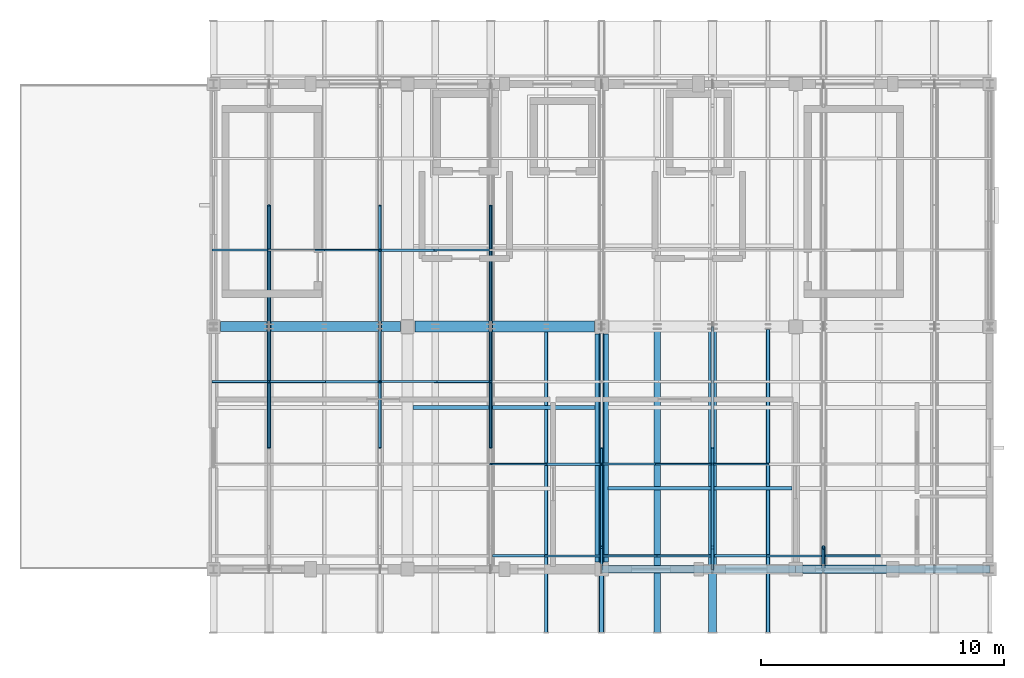
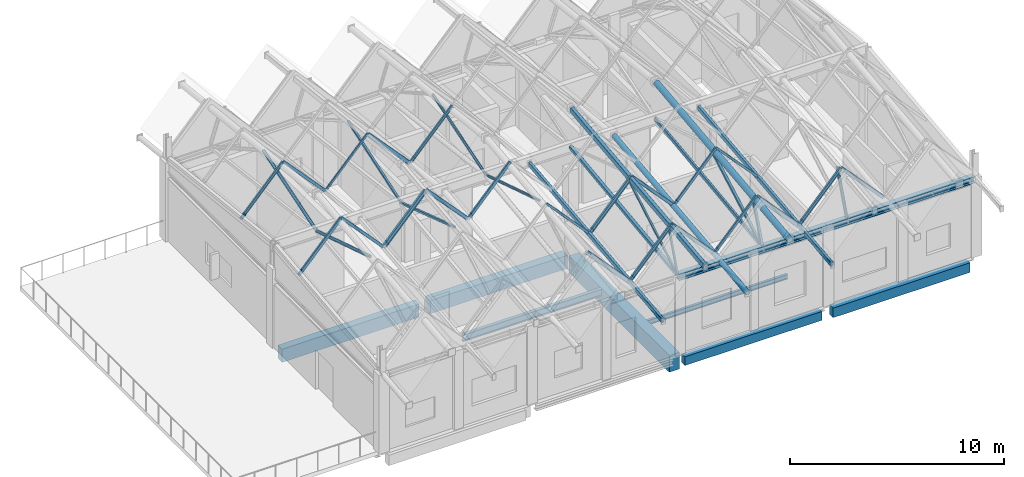
# One storey, part 2 of 15: 35 members, 14 beams.
"""IFC4 building model written with IfcOpenShell, lengths in metres."""

from ifc_helpers import new_model, si_unit, direction, frame, origin, origin_2d, place, context, subcontext, project, spatial, rectangle, hollow_rectangle, hollow_circle, i_section, extrude, material, material_profile, profile_set, type_object, element, save


model = new_model("IFC4")

# Units and contexts
model_context = context("Model", 3, precision=1e-05, world=origin(), true_north=direction((0.0, 1.0)))
body_context = subcontext(model_context, "Body", "Model", "MODEL_VIEW")
ifc_project = project(units=[si_unit("LENGTHUNIT", "METRE"), si_unit("AREAUNIT", "SQUARE_METRE"), si_unit("VOLUMEUNIT", "CUBIC_METRE"), si_unit("PLANEANGLEUNIT", "RADIAN"), si_unit("MASSUNIT", "GRAM", prefix="KILO")], contexts=[model_context])

# Site, building, storey
site_placement = place(None, origin())
site = spatial("IfcSite", under=ifc_project, at=site_placement, CompositionType="ELEMENT")
building_placement = place(site_placement, origin())
building = spatial("IfcBuilding", under=site, at=building_placement, Name="Luwemba Playhouse", CompositionType="ELEMENT")
storey_placement = place(building_placement, frame((0.0, 0.0, 22.800048828125)))
storey = spatial("IfcBuildingStorey", under=building, at=storey_placement, Name="L05", CompositionType="ELEMENT", Elevation=22.800048828125)

# Beams
ifc_material_1 = material(Name="Concrete C40/50", Category="concrete")
ifc_material_profile_1 = material_profile(ifc_material_1, rectangle(XDim=0.39990234375, YDim=0.75, at=origin_2d()))
ifc_profile_set_1 = profile_set([ifc_material_profile_1], Name="Concrete C40/50")
beam_type_1 = type_object("IfcBeamType", Name="BM-RB03", PredefinedType="BEAM", material=ifc_profile_set_1)
beam_1_placement = place(storey_placement, frame((140.300048828125, 105.0, -0.675048828125), z_axis=(1.0, 0.0, 0.0), x_axis=(0.0, 1.0, 0.0)))
element("IfcBeam", 1, at=beam_1_placement, inside=storey, type_object=beam_type_1, Name="L05 grid girder 0946", PredefinedType="BEAM", context=body_context, shape_type="SweptSolid", body=[
    extrude(rectangle(XDim=0.39990234375, YDim=0.75, at=origin_2d()), origin(), (0.0, 0.0, 1.0), 7.39990234375),
])
ifc_material_profile_2 = material_profile(ifc_material_1, rectangle(XDim=0.449951171875, YDim=0.75, at=origin_2d()))
ifc_profile_set_2 = profile_set([ifc_material_profile_2], Name="Concrete C40/50")
beam_type_2 = type_object("IfcBeamType", Name="BM-RB04", PredefinedType="BEAM", material=ifc_profile_set_2)
beam_2_placement = place(storey_placement, frame((148.300048828125, 105.0, -0.675048828125), z_axis=(1.0, 0.0, 0.0), x_axis=(0.0, 1.0, 0.0)))
element("IfcBeam", 2, at=beam_2_placement, inside=storey, type_object=beam_type_2, Name="L05 grid girder 0947", PredefinedType="BEAM", context=body_context, shape_type="SweptSolid", body=[
    extrude(rectangle(XDim=0.449951171875, YDim=0.75, at=origin_2d()), origin(), (0.0, 0.0, 1.0), 7.39990234375),
])
ifc_material_profile_3 = material_profile(ifc_material_1, rectangle(XDim=0.550048828125, YDim=0.949951171875, at=origin_2d()))
ifc_profile_set_3 = profile_set([ifc_material_profile_3], Name="Concrete C40/50")
beam_type_3 = type_object("IfcBeamType", Name="BM-RB08", PredefinedType="BEAM", material=ifc_profile_set_3)
beam_3_placement = place(storey_placement, frame((156.0, 95.300048828125, -0.775146484375), z_axis=(0.0, 1.0, 0.0), x_axis=(-1.0, 0.0, 0.0)))
element("IfcBeam", 3, at=beam_3_placement, inside=storey, type_object=beam_type_3, Name="L05 transverse girder 0958", PredefinedType="BEAM", context=body_context, shape_type="SweptSolid", body=[
    extrude(rectangle(XDim=0.550048828125, YDim=0.949951171875, at=origin_2d()), origin(), (0.0, 0.0, 1.0), 9.39990234375),
])
ifc_material_2 = material(Name="Steel S355", Category="steel")
ifc_material_profile_4 = material_profile(ifc_material_2, hollow_rectangle(XDim=0.14990234375, YDim=0.25, WallThickness=0.010009765625, InnerFilletRadius=0.014892578125, OuterFilletRadius=0.02490234375, at=origin_2d()))
ifc_profile_set_4 = profile_set([ifc_material_profile_4], Name="Steel S355")
beam_type_4 = type_object("IfcBeamType", Name="BM-RTG1", PredefinedType="USERDEFINED", material=ifc_profile_set_4)
for number, where, z_axis, x_axis, name in (
    (4, (153.71435546875, 92.39990234375, 4.156982421875), (0.0, 0.993766630778, 0.111480417796), (-1.0, 0.0, 0.0), "ROOF TRUSS valley girder 0422"),
    (5, (162.857177734375, 92.39990234375, 4.156982421875), (0.0, 0.993768782613, 0.111461234087), (-1.0, 0.0, 0.0), "ROOF TRUSS valley girder 0430"),
):
    element("IfcBeam", number, at=place(storey_placement, frame(where, z_axis=z_axis, x_axis=x_axis)), inside=storey, type_object=beam_type_4, Name=name, ObjectType="ROOF TRUSS", PredefinedType="USERDEFINED", context=body_context, shape_type="SweptSolid", body=[
        extrude(hollow_rectangle(XDim=0.14990234375, YDim=0.25, WallThickness=0.010009765625, InnerFilletRadius=0.014892578125, OuterFilletRadius=0.02490234375, at=origin_2d()), origin(), (0.0, 0.0, 1.0), 12.568359375),
    ])
ifc_material_profile_5 = material_profile(ifc_material_2, hollow_rectangle(XDim=0.199951171875, YDim=0.300048828125, WallThickness=0.012451171875, InnerFilletRadius=0.018798828125, OuterFilletRadius=0.03125, at=origin_2d()))
ifc_profile_set_5 = profile_set([ifc_material_profile_5], Name="Steel S355")
beam_type_5 = type_object("IfcBeamType", Name="BM-RTG2", PredefinedType="USERDEFINED", material=ifc_profile_set_5)
beam_4_placement = place(storey_placement, frame((156.0, 92.39990234375, 6.448486328125), z_axis=(0.0, 0.993766630778, 0.111480417796), x_axis=(-1.0, 0.0, 0.0)))
element("IfcBeam", 6, at=beam_4_placement, inside=storey, type_object=beam_type_5, Name="ROOF TRUSS ridge girder 0424", ObjectType="ROOF TRUSS", PredefinedType="USERDEFINED", context=body_context, shape_type="SweptSolid", body=[
    extrude(hollow_rectangle(XDim=0.199951171875, YDim=0.300048828125, WallThickness=0.012451171875, InnerFilletRadius=0.018798828125, OuterFilletRadius=0.03125, at=origin_2d()), origin(), (0.0, 0.0, 1.0), 12.568359375),
])
ifc_material_profile_6 = material_profile(ifc_material_2, hollow_circle(Radius=0.136474609375, WallThickness=0.012451171875, at=origin_2d()))
ifc_profile_set_6 = profile_set([ifc_material_profile_6], Name="Steel S355")
beam_type_6 = type_object("IfcBeamType", Name="BM-RTG3", PredefinedType="USERDEFINED", material=ifc_profile_set_6)
beam_5_placement = place(storey_placement, frame((158.28564453125, 92.39990234375, 4.1455078125), z_axis=(0.0, 0.993766630778, 0.111480417796), x_axis=(-1.0, 0.0, 0.0)))
element("IfcBeam", 7, at=beam_5_placement, inside=storey, type_object=beam_type_6, Name="ROOF TRUSS valley girder 0426", ObjectType="ROOF TRUSS", PredefinedType="USERDEFINED", context=body_context, shape_type="SweptSolid", body=[
    extrude(hollow_circle(Radius=0.136474609375, WallThickness=0.012451171875, at=origin_2d()), origin(), (0.0, 0.0, 1.0), 12.568359375),
])
ifc_material_profile_7 = material_profile(ifc_material_2, hollow_circle(Radius=0.161865234375, WallThickness=0.01611328125, at=origin_2d()))
ifc_profile_set_7 = profile_set([ifc_material_profile_7], Name="Steel S355")
beam_type_7 = type_object("IfcBeamType", Name="BM-RTG4", PredefinedType="USERDEFINED", material=ifc_profile_set_7)
beam_6_placement = place(storey_placement, frame((160.5712890625, 92.39990234375, 6.369384765625), z_axis=(0.0, 0.993766630778, 0.111480417796), x_axis=(-1.0, 0.0, 0.0)))
element("IfcBeam", 8, at=beam_6_placement, inside=storey, type_object=beam_type_7, Name="ROOF TRUSS ridge girder 0428", ObjectType="ROOF TRUSS", PredefinedType="USERDEFINED", context=body_context, shape_type="SweptSolid", body=[
    extrude(hollow_circle(Radius=0.161865234375, WallThickness=0.01611328125, at=origin_2d()), origin(), (0.0, 0.0, 1.0), 12.568359375),
])
ifc_material_profile_8 = material_profile(ifc_material_2, i_section(OverallWidth=0.300048828125, OverallDepth=0.360107421875, WebThickness=0.012451171875, FlangeThickness=0.0224609375, FilletRadius=0.027099609375, at=origin_2d()))
ifc_profile_set_8 = profile_set([ifc_material_profile_8], Name="Steel S355")
beam_type_8 = type_object("IfcBeamType", Name="BM-SB09", PredefinedType="BEAM", material=ifc_profile_set_8)
for number, where, z_axis, x_axis, name in (
    (9, (156.0, 95.0, 4.320068359375), (1.0, 0.0, 0.0), (0.0, 1.0, 0.0), "RF-V6E eave ring beam 0397"),
    (10, (164.0, 95.0, 4.320068359375), (1.0, 0.0, 0.0), (0.0, 1.0, 0.0), "RF-V6E eave ring beam 0398"),
):
    element("IfcBeam", number, at=place(storey_placement, frame(where, z_axis=z_axis, x_axis=x_axis)), inside=storey, type_object=beam_type_8, Name=name, PredefinedType="BEAM", context=body_context, shape_type="SweptSolid", body=[
        extrude(i_section(OverallWidth=0.300048828125, OverallDepth=0.360107421875, WebThickness=0.012451171875, FlangeThickness=0.0224609375, FilletRadius=0.027099609375, at=origin_2d()), origin(), (0.0, 0.0, 1.0), 8.0),
    ])
ifc_material_profile_9 = material_profile(ifc_material_2, i_section(OverallWidth=0.135009765625, OverallDepth=0.27001953125, WebThickness=0.006591796875, FlangeThickness=0.01025390625, FilletRadius=0.014892578125, at=origin_2d()))
ifc_profile_set_9 = profile_set([ifc_material_profile_9], Name="Steel S355")
beam_type_9 = type_object("IfcBeamType", Name="BM-SJ04", PredefinedType="JOIST", material=ifc_profile_set_9)
beam_7_placement = place(storey_placement, frame((156.27099609375, 98.333251953125, -0.43505859375), z_axis=(1.0, 0.0, 0.0), x_axis=(0.0, 1.0, 0.0)))
element("IfcBeam", 11, at=beam_7_placement, inside=storey, type_object=beam_type_9, Name="L05 composite floor joist 0541", PredefinedType="JOIST", context=body_context, shape_type="SweptSolid", body=[
    extrude(i_section(OverallWidth=0.135009765625, OverallDepth=0.27001953125, WebThickness=0.006591796875, FlangeThickness=0.01025390625, FilletRadius=0.014892578125, at=origin_2d()), origin(), (0.0, 0.0, 1.0), 7.5830078125),
])
ifc_material_profile_10 = material_profile(ifc_material_2, i_section(OverallWidth=0.179931640625, OverallDepth=0.39990234375, WebThickness=0.008544921875, FlangeThickness=0.013427734375, FilletRadius=0.02099609375, at=origin_2d()))
ifc_profile_set_10 = profile_set([ifc_material_profile_10], Name="Steel S355")
beam_type_10 = type_object("IfcBeamType", Name="BM-SJ08", PredefinedType="JOIST", material=ifc_profile_set_10)
beam_8_placement = place(storey_placement, frame((148.220947265625, 101.666748046875, -0.5), z_axis=(1.0, 0.0, 0.0), x_axis=(0.0, 1.0, 0.0)))
element("IfcBeam", 12, at=beam_8_placement, inside=storey, type_object=beam_type_10, Name="L05 composite floor joist 0539", PredefinedType="JOIST", context=body_context, shape_type="SweptSolid", body=[
    extrude(i_section(OverallWidth=0.179931640625, OverallDepth=0.39990234375, WebThickness=0.008544921875, FlangeThickness=0.013427734375, FilletRadius=0.02099609375, at=origin_2d()), origin(), (0.0, 0.0, 1.0), 7.508056640625),
])
ifc_material_profile_11 = material_profile(ifc_material_1, rectangle(XDim=0.300048828125, YDim=0.5, at=origin_2d()))
ifc_profile_set_11 = profile_set([ifc_material_profile_11], Name="Concrete C40/50")
beam_type_11 = type_object("IfcBeamType", Name="BM-SP1", PredefinedType="SPANDREL", material=ifc_profile_set_11)
beam_9_placement = place(storey_placement, frame((156.300048828125, 95.0, -0.550048828125), z_axis=(1.0, 0.0, 0.0), x_axis=(0.0, 1.0, 0.0)))
element("IfcBeam", 13, at=beam_9_placement, inside=storey, type_object=beam_type_11, Name="L05 grid girder 0944", PredefinedType="SPANDREL", context=body_context, shape_type="SweptSolid", body=[
    extrude(rectangle(XDim=0.300048828125, YDim=0.5, at=origin_2d()), origin(), (0.0, 0.0, 1.0), 7.39990234375),
])
ifc_material_profile_12 = material_profile(ifc_material_1, rectangle(XDim=0.35009765625, YDim=0.550048828125, at=origin_2d()))
ifc_profile_set_12 = profile_set([ifc_material_profile_12], Name="Concrete C40/50")
beam_type_12 = type_object("IfcBeamType", Name="BM-SP2", PredefinedType="SPANDREL", material=ifc_profile_set_12)
beam_10_placement = place(storey_placement, frame((164.300048828125, 95.0, -0.574951171875), z_axis=(1.0, 0.0, 0.0), x_axis=(0.0, 1.0, 0.0)))
element("IfcBeam", 14, at=beam_10_placement, inside=storey, type_object=beam_type_12, Name="L05 grid girder 0945", PredefinedType="SPANDREL", context=body_context, shape_type="SweptSolid", body=[
    extrude(rectangle(XDim=0.35009765625, YDim=0.550048828125, at=origin_2d()), origin(), (0.0, 0.0, 1.0), 7.39990234375),
])

# Members
ifc_material_profile_13 = material_profile(ifc_material_2, hollow_circle(Radius=0.06982421875, WallThickness=0.008056640625, at=origin_2d()))
ifc_profile_set_13 = profile_set([ifc_material_profile_13], Name="Steel S355")
member_type_1 = type_object("IfcMemberType", Name="MEM-MB01", PredefinedType="BRACE", material=ifc_profile_set_13)
for number, where, z_axis, x_axis, name in (
    (15, (151.4287109375, 105.0, 5.6416015625), (0.0, -0.953507345101, 0.30136977758), (1.0, 0.0, 0.0), "ROOF TRUSS web diagonal 0364"),
    (16, (151.4287109375, 105.0, 5.6416015625), (0.0, 0.953507345101, 0.30136977758), (-1.0, 0.0, 0.0), "ROOF TRUSS web diagonal 0365"),
):
    element("IfcMember", number, at=place(storey_placement, frame(where, z_axis=z_axis, x_axis=x_axis)), inside=storey, type_object=member_type_1, Name=name, PredefinedType="BRACE", context=body_context, shape_type="SweptSolid", body=[
        extrude(hollow_circle(Radius=0.06982421875, WallThickness=0.008056640625, at=origin_2d()), origin(), (0.0, 0.0, 1.0), 5.243896484375),
    ])
ifc_material_profile_14 = material_profile(ifc_material_2, hollow_circle(Radius=0.084228515625, WallThickness=0.008056640625, at=origin_2d()))
ifc_profile_set_14 = profile_set([ifc_material_profile_14], Name="Steel S355")
member_type_2 = type_object("IfcMemberType", Name="MEM-MB02", PredefinedType="BRACE", material=ifc_profile_set_14)
for number, where, z_axis, x_axis, name in (
    (17, (142.28564453125, 105.0, 5.6416015625), (0.0, -0.953507345101, 0.30136977758), (1.0, 0.0, 0.0), "ROOF TRUSS web diagonal 0352"),
    (18, (142.28564453125, 105.0, 5.6416015625), (0.0, 0.953507345101, 0.30136977758), (-1.0, 0.0, 0.0), "ROOF TRUSS web diagonal 0353"),
):
    element("IfcMember", number, at=place(storey_placement, frame(where, z_axis=z_axis, x_axis=x_axis)), inside=storey, type_object=member_type_2, Name=name, PredefinedType="BRACE", context=body_context, shape_type="SweptSolid", body=[
        extrude(hollow_circle(Radius=0.084228515625, WallThickness=0.008056640625, at=origin_2d()), origin(), (0.0, 0.0, 1.0), 5.243896484375),
    ])
member_1_placement = place(storey_placement, frame((165.142822265625, 95.0, 4.39990234375), z_axis=(0.0, 0.345883643125, 0.938277413891), x_axis=(-1.0, 0.0, 0.0)))
element("IfcMember", 19, at=member_1_placement, inside=storey, type_object=member_type_2, Name="ROOF TRUSS eave knee strut 0110", PredefinedType="BRACE", context=body_context, shape_type="SweptSolid", body=[
    extrude(hollow_circle(Radius=0.084228515625, WallThickness=0.008056640625, at=origin_2d()), origin(), (0.0, 0.0, 1.0), 2.601806640625),
])
ifc_material_profile_15 = material_profile(ifc_material_2, hollow_rectangle(XDim=0.10009765625, YDim=0.10009765625, WallThickness=0.00634765625, InnerFilletRadius=0.009521484375, OuterFilletRadius=0.015869140625, at=origin_2d()))
ifc_profile_set_15 = profile_set([ifc_material_profile_15], Name="Steel S355")
member_type_3 = type_object("IfcMemberType", Name="MEM-MB05", PredefinedType="BRACE", material=ifc_profile_set_15)
member_2_placement = place(storey_placement, frame((156.0, 95.0, 4.39990234375), z_axis=(0.0, 0.864946861272, 0.501863454712), x_axis=(-1.0, 0.0, 0.0)))
element("IfcMember", 20, at=member_2_placement, inside=storey, type_object=member_type_3, Name="ROOF TRUSS web diagonal 0369", PredefinedType="BRACE", context=body_context, shape_type="SweptSolid", body=[
    extrude(hollow_rectangle(XDim=0.10009765625, YDim=0.10009765625, WallThickness=0.00634765625, InnerFilletRadius=0.009521484375, OuterFilletRadius=0.015869140625, at=origin_2d()), origin(), (0.0, 0.0, 1.0), 5.78076171875),
])
member_3_placement = place(storey_placement, frame((156.0, 95.0, 4.39990234375), z_axis=(0.0, 0.345883643125, 0.938277413891), x_axis=(-1.0, 0.0, 0.0)))
element("IfcMember", 21, at=member_3_placement, inside=storey, type_object=member_type_3, Name="ROOF TRUSS eave knee strut 0106", PredefinedType="BRACE", context=body_context, shape_type="SweptSolid", body=[
    extrude(hollow_rectangle(XDim=0.10009765625, YDim=0.10009765625, WallThickness=0.00634765625, InnerFilletRadius=0.009521484375, OuterFilletRadius=0.015869140625, at=origin_2d()), origin(), (0.0, 0.0, 1.0), 2.601806640625),
])
ifc_material_profile_16 = material_profile(ifc_material_2, hollow_rectangle(XDim=0.1201171875, YDim=0.1201171875, WallThickness=0.008056640625, InnerFilletRadius=0.011962890625, OuterFilletRadius=0.02001953125, at=origin_2d()))
ifc_profile_set_16 = profile_set([ifc_material_profile_16], Name="Steel S355")
member_type_4 = type_object("IfcMemberType", Name="MEM-MB06", PredefinedType="BRACE", material=ifc_profile_set_16)
for number, where, z_axis, x_axis, name in (
    (22, (146.857177734375, 105.0, 5.6416015625), (0.0, -0.949094939614, 0.31499015159), (1.0, 0.0, 0.0), "ROOF TRUSS web diagonal 0358"),
    (23, (146.857177734375, 105.0, 5.6416015625), (0.0, 0.949094939614, 0.31499015159), (-1.0, 0.0, 0.0), "ROOF TRUSS web diagonal 0359"),
):
    element("IfcMember", number, at=place(storey_placement, frame(where, z_axis=z_axis, x_axis=x_axis)), inside=storey, type_object=member_type_4, Name=name, PredefinedType="BRACE", context=body_context, shape_type="SweptSolid", body=[
        extrude(hollow_rectangle(XDim=0.1201171875, YDim=0.1201171875, WallThickness=0.008056640625, InnerFilletRadius=0.011962890625, OuterFilletRadius=0.02001953125, at=origin_2d()), origin(), (0.0, 0.0, 1.0), 5.26806640625),
    ])
ifc_material_profile_17 = material_profile(ifc_material_2, hollow_rectangle(XDim=0.139892578125, YDim=0.139892578125, WallThickness=0.008056640625, InnerFilletRadius=0.011962890625, OuterFilletRadius=0.02001953125, at=origin_2d()))
ifc_profile_set_17 = profile_set([ifc_material_profile_17], Name="Steel S355")
member_type_5 = type_object("IfcMemberType", Name="MEM-MB07", PredefinedType="BRACE", material=ifc_profile_set_17)
member_4_placement = place(storey_placement, frame((160.5712890625, 95.0, 4.39990234375), z_axis=(0.0, 0.870865998229, 0.491520511403), x_axis=(-1.0, 0.0, 0.0)))
element("IfcMember", 24, at=member_4_placement, inside=storey, type_object=member_type_5, Name="ROOF TRUSS web diagonal 0375", PredefinedType="BRACE", context=body_context, shape_type="SweptSolid", body=[
    extrude(hollow_rectangle(XDim=0.139892578125, YDim=0.139892578125, WallThickness=0.008056640625, InnerFilletRadius=0.011962890625, OuterFilletRadius=0.02001953125, at=origin_2d()), origin(), (0.0, 0.0, 1.0), 5.741455078125),
])
member_5_placement = place(storey_placement, frame((160.5712890625, 95.0, 4.39990234375), z_axis=(0.0, 0.356019426391, 0.934478554078), x_axis=(-1.0, 0.0, 0.0)))
element("IfcMember", 25, at=member_5_placement, inside=storey, type_object=member_type_5, Name="ROOF TRUSS eave knee strut 0108", PredefinedType="BRACE", context=body_context, shape_type="SweptSolid", body=[
    extrude(hollow_rectangle(XDim=0.139892578125, YDim=0.139892578125, WallThickness=0.008056640625, InnerFilletRadius=0.011962890625, OuterFilletRadius=0.02001953125, at=origin_2d()), origin(), (0.0, 0.0, 1.0), 2.527587890625),
])
ifc_material_profile_18 = material_profile(ifc_material_2, hollow_rectangle(XDim=0.179931640625, YDim=0.179931640625, WallThickness=0.010009765625, InnerFilletRadius=0.014892578125, OuterFilletRadius=0.02490234375, at=origin_2d()))
ifc_profile_set_18 = profile_set([ifc_material_profile_18], Name="Steel S355")
member_type_6 = type_object("IfcMemberType", Name="MEM-MC03", PredefinedType="CHORD", material=ifc_profile_set_18)
member_6_placement = place(storey_placement, frame((156.0, 95.0, 4.39990234375), z_axis=(0.0, 0.992378930096, 0.12322361422), x_axis=(-1.0, 0.0, 0.0)))
element("IfcMember", 26, at=member_6_placement, inside=storey, type_object=member_type_6, Name="ROOF TRUSS south bottom chord 0367", PredefinedType="CHORD", context=body_context, shape_type="SweptSolid", body=[
    extrude(hollow_rectangle(XDim=0.179931640625, YDim=0.179931640625, WallThickness=0.010009765625, InnerFilletRadius=0.014892578125, OuterFilletRadius=0.02490234375, at=origin_2d()), origin(), (0.0, 0.0, 1.0), 10.076904296875),
])
ifc_material_profile_19 = material_profile(ifc_material_2, hollow_rectangle(XDim=0.1201171875, YDim=0.199951171875, WallThickness=0.010009765625, InnerFilletRadius=0.014892578125, OuterFilletRadius=0.02490234375, at=origin_2d()))
ifc_profile_set_19 = profile_set([ifc_material_profile_19], Name="Steel S355")
member_type_7 = type_object("IfcMemberType", Name="MEM-MC05", PredefinedType="CHORD", material=ifc_profile_set_19)
member_7_placement = place(storey_placement, frame((160.5712890625, 95.0, 4.39990234375), z_axis=(0.0, 0.992378930096, 0.12322361422), x_axis=(-1.0, 0.0, 0.0)))
element("IfcMember", 27, at=member_7_placement, inside=storey, type_object=member_type_7, Name="ROOF TRUSS south bottom chord 0373", PredefinedType="CHORD", context=body_context, shape_type="SweptSolid", body=[
    extrude(hollow_rectangle(XDim=0.1201171875, YDim=0.199951171875, WallThickness=0.010009765625, InnerFilletRadius=0.014892578125, OuterFilletRadius=0.02490234375, at=origin_2d()), origin(), (0.0, 0.0, 1.0), 10.076904296875),
])
ifc_material_profile_20 = material_profile(ifc_material_2, hollow_rectangle(XDim=0.080078125, YDim=0.1201171875, WallThickness=0.00634765625, InnerFilletRadius=0.009521484375, OuterFilletRadius=0.015869140625, at=origin_2d()))
ifc_profile_set_20 = profile_set([ifc_material_profile_20], Name="Steel S355")
member_type_8 = type_object("IfcMemberType", Name="MEM-MP01", PredefinedType="PURLIN", material=ifc_profile_set_20)
member_8_placement = place(storey_placement, frame((144.5712890625, 108.14990234375, 5.24365234375), z_axis=(0.678000350765, 0.0, 0.73506157862), x_axis=(0.0, 1.0, 0.0)))
element("IfcMember", 28, at=member_8_placement, inside=storey, type_object=member_type_8, Name="Pleated roof purlin 0712", PredefinedType="PURLIN", context=body_context, shape_type="SweptSolid", body=[
    extrude(hollow_rectangle(XDim=0.080078125, YDim=0.1201171875, WallThickness=0.00634765625, InnerFilletRadius=0.009521484375, OuterFilletRadius=0.015869140625, at=origin_2d()), origin(), (0.0, 0.0, 1.0), 3.37158203125),
])
member_9_placement = place(storey_placement, frame((151.4287109375, 99.330078125, 7.439208984375), z_axis=(0.677961222164, 0.0, -0.735097667825), x_axis=(0.0, 1.0, 0.0)))
element("IfcMember", 29, at=member_9_placement, inside=storey, type_object=member_type_8, Name="Pleated roof purlin 0728", PredefinedType="PURLIN", context=body_context, shape_type="SweptSolid", body=[
    extrude(hollow_rectangle(XDim=0.080078125, YDim=0.1201171875, WallThickness=0.00634765625, InnerFilletRadius=0.009521484375, OuterFilletRadius=0.015869140625, at=origin_2d()), origin(), (0.0, 0.0, 1.0), 3.371337890625),
])
member_10_placement = place(storey_placement, frame((160.5712890625, 99.330078125, 7.439453125), z_axis=(0.677964263393, 0.0, -0.735094862968), x_axis=(0.0, 1.0, 0.0)))
element("IfcMember", 30, at=member_10_placement, inside=storey, type_object=member_type_8, Name="Pleated roof purlin 0752", PredefinedType="PURLIN", context=body_context, shape_type="SweptSolid", body=[
    extrude(hollow_rectangle(XDim=0.080078125, YDim=0.1201171875, WallThickness=0.00634765625, InnerFilletRadius=0.009521484375, OuterFilletRadius=0.015869140625, at=origin_2d()), origin(), (0.0, 0.0, 1.0), 3.37158203125),
])
ifc_material_profile_21 = material_profile(ifc_material_2, hollow_rectangle(XDim=0.10009765625, YDim=0.14990234375, WallThickness=0.008056640625, InnerFilletRadius=0.011962890625, OuterFilletRadius=0.02001953125, at=origin_2d()))
ifc_profile_set_21 = profile_set([ifc_material_profile_21], Name="Steel S355")
member_type_9 = type_object("IfcMemberType", Name="MEM-MP02", PredefinedType="PURLIN", material=ifc_profile_set_21)
for number, where, z_axis, x_axis, name in (
    (31, (142.28564453125, 102.73193359375, 7.795166015625), (0.677961222164, 0.0, -0.735097667825), (0.0, 1.0, 0.0), "Pleated roof purlin 0705"),
    (32, (158.28564453125, 95.550048828125, 4.51123046875), (0.677961222164, 0.0, 0.735097667825), (0.0, 1.0, 0.0), "Pleated roof purlin 0745"),
):
    element("IfcMember", number, at=place(storey_placement, frame(where, z_axis=z_axis, x_axis=x_axis)), inside=storey, type_object=member_type_9, Name=name, PredefinedType="PURLIN", context=body_context, shape_type="SweptSolid", body=[
        extrude(hollow_rectangle(XDim=0.10009765625, YDim=0.14990234375, WallThickness=0.008056640625, InnerFilletRadius=0.011962890625, OuterFilletRadius=0.02001953125, at=origin_2d()), origin(), (0.0, 0.0, 1.0), 3.371337890625),
    ])
ifc_material_profile_22 = material_profile(ifc_material_2, hollow_rectangle(XDim=0.080078125, YDim=0.159912109375, WallThickness=0.00634765625, InnerFilletRadius=0.009521484375, OuterFilletRadius=0.015869140625, at=origin_2d()))
ifc_profile_set_22 = profile_set([ifc_material_profile_22], Name="Steel S355")
member_type_10 = type_object("IfcMemberType", Name="MEM-MP03", PredefinedType="PURLIN", material=ifc_profile_set_22)
for number, where, z_axis, x_axis, name in (
    (33, (142.28564453125, 108.14990234375, 7.701904296875), (0.677961222164, 0.0, -0.735097667825), (0.0, 1.0, 0.0), "Pleated roof purlin 0706"),
    (34, (158.28564453125, 99.330078125, 4.94091796875), (0.677961222164, 0.0, 0.735097667825), (0.0, 1.0, 0.0), "Pleated roof purlin 0746"),
):
    element("IfcMember", number, at=place(storey_placement, frame(where, z_axis=z_axis, x_axis=x_axis)), inside=storey, type_object=member_type_10, Name=name, PredefinedType="PURLIN", context=body_context, shape_type="SweptSolid", body=[
        extrude(hollow_rectangle(XDim=0.080078125, YDim=0.159912109375, WallThickness=0.00634765625, InnerFilletRadius=0.009521484375, OuterFilletRadius=0.015869140625, at=origin_2d()), origin(), (0.0, 0.0, 1.0), 3.371337890625),
    ])
ifc_material_profile_23 = material_profile(ifc_material_2, hollow_rectangle(XDim=0.10009765625, YDim=0.179931640625, WallThickness=0.008056640625, InnerFilletRadius=0.011962890625, OuterFilletRadius=0.02001953125, at=origin_2d()))
ifc_profile_set_23 = profile_set([ifc_material_profile_23], Name="Steel S355")
member_type_11 = type_object("IfcMemberType", Name="MEM-MP04", PredefinedType="PURLIN", material=ifc_profile_set_23)
member_11_placement = place(storey_placement, frame((140.0, 102.73193359375, 5.3017578125), z_axis=(0.677961222164, 0.0, 0.735097667825), x_axis=(0.0, 1.0, 0.0)))
element("IfcMember", 35, at=member_11_placement, inside=storey, type_object=member_type_11, Name="Pleated roof purlin 0699", PredefinedType="PURLIN", context=body_context, shape_type="SweptSolid", body=[
    extrude(hollow_rectangle(XDim=0.10009765625, YDim=0.179931640625, WallThickness=0.008056640625, InnerFilletRadius=0.011962890625, OuterFilletRadius=0.02001953125, at=origin_2d()), origin(), (0.0, 0.0, 1.0), 3.371337890625),
])
member_12_placement = place(storey_placement, frame((149.142822265625, 102.73193359375, 5.3017578125), z_axis=(0.678000350765, 0.0, 0.73506157862), x_axis=(0.0, 1.0, 0.0)))
element("IfcMember", 36, at=member_12_placement, inside=storey, type_object=member_type_11, Name="Pleated roof purlin 0723", PredefinedType="PURLIN", context=body_context, shape_type="SweptSolid", body=[
    extrude(hollow_rectangle(XDim=0.10009765625, YDim=0.179931640625, WallThickness=0.008056640625, InnerFilletRadius=0.011962890625, OuterFilletRadius=0.02001953125, at=origin_2d()), origin(), (0.0, 0.0, 1.0), 3.37158203125),
])
member_13_placement = place(storey_placement, frame((156.0, 95.550048828125, 6.974365234375), z_axis=(0.677961222164, 0.0, -0.735097667825), x_axis=(0.0, 1.0, 0.0)))
element("IfcMember", 37, at=member_13_placement, inside=storey, type_object=member_type_11, Name="Pleated roof purlin 0739", PredefinedType="PURLIN", context=body_context, shape_type="SweptSolid", body=[
    extrude(hollow_rectangle(XDim=0.10009765625, YDim=0.179931640625, WallThickness=0.008056640625, InnerFilletRadius=0.011962890625, OuterFilletRadius=0.02001953125, at=origin_2d()), origin(), (0.0, 0.0, 1.0), 3.371337890625),
])
member_14_placement = place(storey_placement, frame((165.142822265625, 95.550048828125, 6.974365234375), z_axis=(0.678000350765, 0.0, -0.73506157862), x_axis=(0.0, 1.0, 0.0)))
element("IfcMember", 38, at=member_14_placement, inside=storey, type_object=member_type_11, Name="Pleated roof purlin 0763", PredefinedType="PURLIN", context=body_context, shape_type="SweptSolid", body=[
    extrude(hollow_rectangle(XDim=0.10009765625, YDim=0.179931640625, WallThickness=0.008056640625, InnerFilletRadius=0.011962890625, OuterFilletRadius=0.02001953125, at=origin_2d()), origin(), (0.0, 0.0, 1.0), 3.37158203125),
])
ifc_material_profile_24 = material_profile(ifc_material_2, i_section(OverallWidth=0.08203125, OverallDepth=0.159912109375, WebThickness=0.0048828125, FlangeThickness=0.00732421875, FilletRadius=0.009033203125, at=origin_2d()))
ifc_profile_set_24 = profile_set([ifc_material_profile_24], Name="Steel S355")
member_type_12 = type_object("IfcMemberType", Name="MEM-MP05", PredefinedType="PURLIN", material=ifc_profile_set_24)
member_15_placement = place(storey_placement, frame((140.0, 108.14990234375, 5.22265625), z_axis=(0.677961222164, 0.0, 0.735097667825), x_axis=(0.0, 1.0, 0.0)))
element("IfcMember", 39, at=member_15_placement, inside=storey, type_object=member_type_12, Name="Pleated roof purlin 0700", PredefinedType="PURLIN", context=body_context, shape_type="SweptSolid", body=[
    extrude(i_section(OverallWidth=0.08203125, OverallDepth=0.159912109375, WebThickness=0.0048828125, FlangeThickness=0.00732421875, FilletRadius=0.009033203125, at=origin_2d()), origin(), (0.0, 0.0, 1.0), 3.371337890625),
])
member_16_placement = place(storey_placement, frame((149.142822265625, 108.14990234375, 5.22265625), z_axis=(0.678000350765, 0.0, 0.73506157862), x_axis=(0.0, 1.0, 0.0)))
element("IfcMember", 40, at=member_16_placement, inside=storey, type_object=member_type_12, Name="Pleated roof purlin 0724", PredefinedType="PURLIN", context=body_context, shape_type="SweptSolid", body=[
    extrude(i_section(OverallWidth=0.08203125, OverallDepth=0.159912109375, WebThickness=0.0048828125, FlangeThickness=0.00732421875, FilletRadius=0.009033203125, at=origin_2d()), origin(), (0.0, 0.0, 1.0), 3.37158203125),
])
member_17_placement = place(storey_placement, frame((156.0, 99.330078125, 7.418212890625), z_axis=(0.677961222164, 0.0, -0.735097667825), x_axis=(0.0, 1.0, 0.0)))
element("IfcMember", 41, at=member_17_placement, inside=storey, type_object=member_type_12, Name="Pleated roof purlin 0740", PredefinedType="PURLIN", context=body_context, shape_type="SweptSolid", body=[
    extrude(i_section(OverallWidth=0.08203125, OverallDepth=0.159912109375, WebThickness=0.0048828125, FlangeThickness=0.00732421875, FilletRadius=0.009033203125, at=origin_2d()), origin(), (0.0, 0.0, 1.0), 3.371337890625),
])
ifc_material_profile_25 = material_profile(ifc_material_2, i_section(OverallWidth=0.091064453125, OverallDepth=0.179931640625, WebThickness=0.00537109375, FlangeThickness=0.008056640625, FilletRadius=0.009033203125, at=origin_2d()))
ifc_profile_set_25 = profile_set([ifc_material_profile_25], Name="Steel S355")
member_type_13 = type_object("IfcMemberType", Name="MEM-MP06", PredefinedType="PURLIN", material=ifc_profile_set_25)
for number, where, z_axis, x_axis, name in (
    (42, (146.857177734375, 102.73193359375, 7.784912109375), (0.677961222164, 0.0, -0.735097667825), (0.0, 1.0, 0.0), "Pleated roof purlin 0717"),
    (43, (153.71435546875, 95.550048828125, 4.5009765625), (0.677961222164, 0.0, 0.735097667825), (0.0, 1.0, 0.0), "Pleated roof purlin 0733"),
    (44, (162.857177734375, 95.550048828125, 4.5009765625), (0.677961222164, 0.0, 0.735097667825), (0.0, 1.0, 0.0), "Pleated roof purlin 0757"),
):
    element("IfcMember", number, at=place(storey_placement, frame(where, z_axis=z_axis, x_axis=x_axis)), inside=storey, type_object=member_type_13, Name=name, PredefinedType="PURLIN", context=body_context, shape_type="SweptSolid", body=[
        extrude(i_section(OverallWidth=0.091064453125, OverallDepth=0.179931640625, WebThickness=0.00537109375, FlangeThickness=0.008056640625, FilletRadius=0.009033203125, at=origin_2d()), origin(), (0.0, 0.0, 1.0), 3.371337890625),
    ])
ifc_material_profile_26 = material_profile(ifc_material_2, i_section(OverallWidth=0.10009765625, OverallDepth=0.199951171875, WebThickness=0.005615234375, FlangeThickness=0.008544921875, FilletRadius=0.011962890625, at=origin_2d()))
ifc_profile_set_26 = profile_set([ifc_material_profile_26], Name="Steel S355")
member_type_14 = type_object("IfcMemberType", Name="MEM-MP07", PredefinedType="PURLIN", material=ifc_profile_set_26)
for number, where, z_axis, x_axis, name in (
    (45, (146.857177734375, 108.14990234375, 7.671142578125), (0.677961222164, 0.0, -0.735097667825), (0.0, 1.0, 0.0), "Pleated roof purlin 0718"),
    (46, (153.71435546875, 99.330078125, 4.91015625), (0.677961222164, 0.0, 0.735097667825), (0.0, 1.0, 0.0), "Pleated roof purlin 0734"),
):
    element("IfcMember", number, at=place(storey_placement, frame(where, z_axis=z_axis, x_axis=x_axis)), inside=storey, type_object=member_type_14, Name=name, PredefinedType="PURLIN", context=body_context, shape_type="SweptSolid", body=[
        extrude(i_section(OverallWidth=0.10009765625, OverallDepth=0.199951171875, WebThickness=0.005615234375, FlangeThickness=0.008544921875, FilletRadius=0.011962890625, at=origin_2d()), origin(), (0.0, 0.0, 1.0), 3.371337890625),
    ])
ifc_material_profile_27 = material_profile(ifc_material_2, i_section(OverallWidth=0.110107421875, OverallDepth=0.219970703125, WebThickness=0.005859375, FlangeThickness=0.00927734375, FilletRadius=0.011962890625, at=origin_2d()))
ifc_profile_set_27 = profile_set([ifc_material_profile_27], Name="Steel S355")
member_type_15 = type_object("IfcMemberType", Name="MEM-MP08", PredefinedType="PURLIN", material=ifc_profile_set_27)
member_18_placement = place(storey_placement, frame((144.5712890625, 102.73193359375, 5.2763671875), z_axis=(0.678000350765, 0.0, 0.73506157862), x_axis=(0.0, 1.0, 0.0)))
element("IfcMember", 47, at=member_18_placement, inside=storey, type_object=member_type_15, Name="Pleated roof purlin 0711", PredefinedType="PURLIN", context=body_context, shape_type="SweptSolid", body=[
    extrude(i_section(OverallWidth=0.110107421875, OverallDepth=0.219970703125, WebThickness=0.005859375, FlangeThickness=0.00927734375, FilletRadius=0.011962890625, at=origin_2d()), origin(), (0.0, 0.0, 1.0), 3.37158203125),
])
member_19_placement = place(storey_placement, frame((151.4287109375, 95.550048828125, 6.948974609375), z_axis=(0.677961222164, 0.0, -0.735097667825), x_axis=(0.0, 1.0, 0.0)))
element("IfcMember", 48, at=member_19_placement, inside=storey, type_object=member_type_15, Name="Pleated roof purlin 0727", PredefinedType="PURLIN", context=body_context, shape_type="SweptSolid", body=[
    extrude(i_section(OverallWidth=0.110107421875, OverallDepth=0.219970703125, WebThickness=0.005859375, FlangeThickness=0.00927734375, FilletRadius=0.011962890625, at=origin_2d()), origin(), (0.0, 0.0, 1.0), 3.371337890625),
])
member_20_placement = place(storey_placement, frame((160.5712890625, 95.550048828125, 6.948974609375), z_axis=(0.678000350765, 0.0, -0.73506157862), x_axis=(0.0, 1.0, 0.0)))
element("IfcMember", 49, at=member_20_placement, inside=storey, type_object=member_type_15, Name="Pleated roof purlin 0751", PredefinedType="PURLIN", context=body_context, shape_type="SweptSolid", body=[
    extrude(i_section(OverallWidth=0.110107421875, OverallDepth=0.219970703125, WebThickness=0.005859375, FlangeThickness=0.00927734375, FilletRadius=0.011962890625, at=origin_2d()), origin(), (0.0, 0.0, 1.0), 3.37158203125),
])

save(model, "model.ifc")
